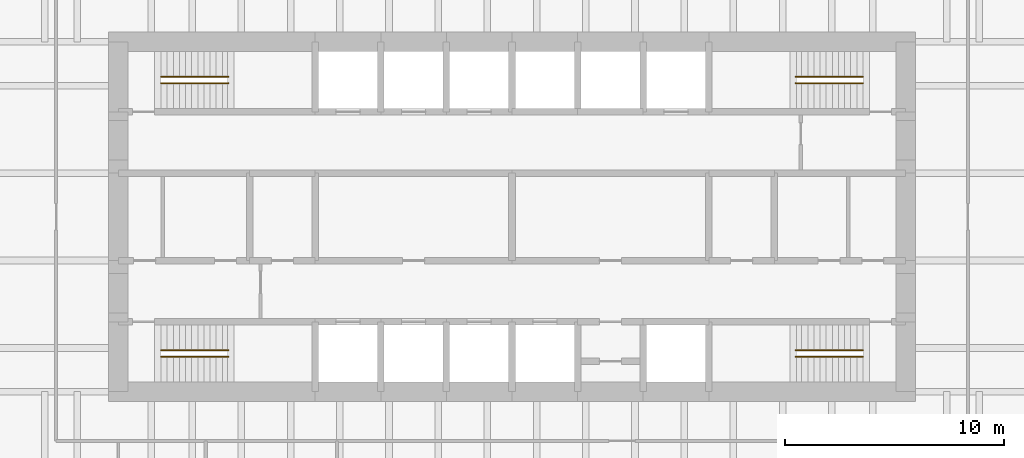
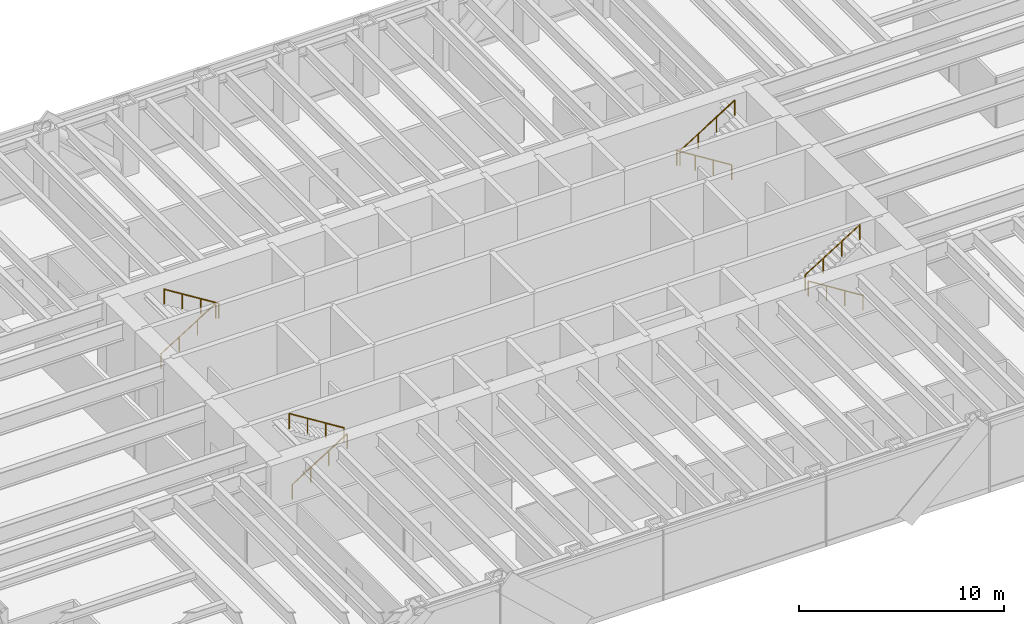
# One storey, part 15 of 15: 8 railings.
"""IFC4 building model written with IfcOpenShell, lengths in metres."""

from ifc_helpers import new_model, si_unit, direction, frame, origin, origin_2d, place, context, subcontext, project, spatial, circle, extrude, material, type_object, element, save


model = new_model("IFC4")

# Units and contexts
model_context = context("Model", 3, precision=1e-05, world=origin(), true_north=direction((0.0, 1.0)))
body_context = subcontext(model_context, "Body", "Model", "MODEL_VIEW")
ifc_project = project(units=[si_unit("LENGTHUNIT", "METRE"), si_unit("AREAUNIT", "SQUARE_METRE"), si_unit("VOLUMEUNIT", "CUBIC_METRE"), si_unit("PLANEANGLEUNIT", "RADIAN"), si_unit("MASSUNIT", "GRAM", prefix="KILO")], contexts=[model_context])

# Site, building, storey
site_placement = place(None, origin())
site = spatial("IfcSite", under=ifc_project, at=site_placement, CompositionType="ELEMENT")
building_placement = place(site_placement, origin())
building = spatial("IfcBuilding", under=site, at=building_placement, Name="Rheinbord Bourse Tower", CompositionType="ELEMENT")
storey_placement = place(building_placement, frame((0.0, 0.0, 134.10009765625)))
storey = spatial("IfcBuildingStorey", under=building, at=storey_placement, Name="L29", CompositionType="ELEMENT", Elevation=134.10009765625)

# Railings
ifc_material = material(Name="Steel handrail", Category="steel")
railing_type = type_object("IfcRailingType", Name="HANDRAIL 900", PredefinedType="HANDRAIL", material=ifc_material)
railing_1_placement = place(storey_placement, frame((19.949951171875, 17.60009765625, 0.1748046875)))
element("IfcRailing", 1, at=railing_1_placement, inside=storey, type_object=railing_type, Name="Handrail", PredefinedType="HANDRAIL", context=body_context, shape_type="SweptSolid", body=[
    extrude(circle(Radius=0.02392578125, at=origin_2d()), frame((0.0, 0.0, 0.8759765625), z_axis=(0.847998304005, 0.0, 0.529998940003), x_axis=(0.0, 1.0, 0.0)), (0.0, 0.0, 1.0), 3.632080078125),
    extrude(circle(Radius=0.02099609375, at=origin_2d()), origin(), (0.0, 0.0, 1.0), 0.851806640625),
    extrude(circle(Radius=0.02099609375, at=origin_2d()), frame((1.026611328125, 0.0, 0.6416015625)), (0.0, 0.0, 1.0), 0.851806640625),
    extrude(circle(Radius=0.02099609375, at=origin_2d()), frame((2.053466796875, 0.0, 1.283447265625)), (0.0, 0.0, 1.0), 0.851806640625),
    extrude(circle(Radius=0.02099609375, at=origin_2d()), frame((3.080078125, 0.0, 1.925048828125)), (0.0, 0.0, 1.0), 0.851806640625),
])
railing_2_placement = place(storey_placement, frame((23.030029296875, 17.89990234375, 2.27490234375)))
element("IfcRailing", 2, at=railing_2_placement, inside=storey, type_object=railing_type, Name="Handrail", PredefinedType="HANDRAIL", context=body_context, shape_type="SweptSolid", body=[
    extrude(circle(Radius=0.02392578125, at=origin_2d()), frame((0.0, 0.0, 0.8759765625), z_axis=(-0.847998304005, 0.0, 0.529998940003), x_axis=(0.0, -1.0, 0.0)), (0.0, 0.0, 1.0), 3.632080078125),
    extrude(circle(Radius=0.02099609375, at=origin_2d()), origin(), (0.0, 0.0, 1.0), 0.851806640625),
    extrude(circle(Radius=0.02099609375, at=origin_2d()), frame((-1.026611328125, 0.0, 0.6416015625)), (0.0, 0.0, 1.0), 0.851806640625),
    extrude(circle(Radius=0.02099609375, at=origin_2d()), frame((-2.053466796875, 0.0, 1.283447265625)), (0.0, 0.0, 1.0), 0.851806640625),
    extrude(circle(Radius=0.02099609375, at=origin_2d()), frame((-3.080078125, 0.0, 1.925048828125)), (0.0, 0.0, 1.0), 0.851806640625),
])
railing_3_placement = place(storey_placement, frame((19.949951171875, 30.39990234375, 0.1748046875)))
element("IfcRailing", 3, at=railing_3_placement, inside=storey, type_object=railing_type, Name="Handrail", PredefinedType="HANDRAIL", context=body_context, shape_type="SweptSolid", body=[
    extrude(circle(Radius=0.02392578125, at=origin_2d()), frame((0.0, 0.0, 0.8759765625), z_axis=(0.847998304005, 0.0, 0.529998940003), x_axis=(0.0, 1.0, 0.0)), (0.0, 0.0, 1.0), 3.632080078125),
    extrude(circle(Radius=0.02099609375, at=origin_2d()), origin(), (0.0, 0.0, 1.0), 0.851806640625),
    extrude(circle(Radius=0.02099609375, at=origin_2d()), frame((1.026611328125, 0.0, 0.6416015625)), (0.0, 0.0, 1.0), 0.851806640625),
    extrude(circle(Radius=0.02099609375, at=origin_2d()), frame((2.053466796875, 0.0, 1.283447265625)), (0.0, 0.0, 1.0), 0.851806640625),
    extrude(circle(Radius=0.02099609375, at=origin_2d()), frame((3.080078125, 0.0, 1.925048828125)), (0.0, 0.0, 1.0), 0.851806640625),
])
for number, where, name in (
    (4, (23.030029296875, 30.10009765625, 2.27490234375), "Handrail"),
    (5, (52.050048828125, 17.60009765625, 0.1748046875), "Handrail"),
):
    element("IfcRailing", number, at=place(storey_placement, frame(where)), inside=storey, type_object=railing_type, Name=name, PredefinedType="HANDRAIL", context=body_context, shape_type="SweptSolid", body=[
        extrude(circle(Radius=0.02392578125, at=origin_2d()), frame((0.0, 0.0, 0.8759765625), z_axis=(-0.847998304005, 0.0, 0.529998940003), x_axis=(0.0, -1.0, 0.0)), (0.0, 0.0, 1.0), 3.632080078125),
        extrude(circle(Radius=0.02099609375, at=origin_2d()), origin(), (0.0, 0.0, 1.0), 0.851806640625),
        extrude(circle(Radius=0.02099609375, at=origin_2d()), frame((-1.026611328125, 0.0, 0.6416015625)), (0.0, 0.0, 1.0), 0.851806640625),
        extrude(circle(Radius=0.02099609375, at=origin_2d()), frame((-2.053466796875, 0.0, 1.283447265625)), (0.0, 0.0, 1.0), 0.851806640625),
        extrude(circle(Radius=0.02099609375, at=origin_2d()), frame((-3.080078125, 0.0, 1.925048828125)), (0.0, 0.0, 1.0), 0.851806640625),
    ])
railing_4_placement = place(storey_placement, frame((48.969970703125, 17.89990234375, 2.27490234375)))
element("IfcRailing", 6, at=railing_4_placement, inside=storey, type_object=railing_type, Name="Handrail", PredefinedType="HANDRAIL", context=body_context, shape_type="SweptSolid", body=[
    extrude(circle(Radius=0.02392578125, at=origin_2d()), frame((0.0, 0.0, 0.8759765625), z_axis=(0.847998304005, 0.0, 0.529998940003), x_axis=(0.0, 1.0, 0.0)), (0.0, 0.0, 1.0), 3.632080078125),
    extrude(circle(Radius=0.02099609375, at=origin_2d()), origin(), (0.0, 0.0, 1.0), 0.851806640625),
    extrude(circle(Radius=0.02099609375, at=origin_2d()), frame((1.026611328125, 0.0, 0.6416015625)), (0.0, 0.0, 1.0), 0.851806640625),
    extrude(circle(Radius=0.02099609375, at=origin_2d()), frame((2.053466796875, 0.0, 1.283447265625)), (0.0, 0.0, 1.0), 0.851806640625),
    extrude(circle(Radius=0.02099609375, at=origin_2d()), frame((3.080078125, 0.0, 1.925048828125)), (0.0, 0.0, 1.0), 0.851806640625),
])
railing_5_placement = place(storey_placement, frame((52.050048828125, 30.39990234375, 0.1748046875)))
element("IfcRailing", 7, at=railing_5_placement, inside=storey, type_object=railing_type, Name="Handrail", PredefinedType="HANDRAIL", context=body_context, shape_type="SweptSolid", body=[
    extrude(circle(Radius=0.02392578125, at=origin_2d()), frame((0.0, 0.0, 0.8759765625), z_axis=(-0.847998304005, 0.0, 0.529998940003), x_axis=(0.0, -1.0, 0.0)), (0.0, 0.0, 1.0), 3.632080078125),
    extrude(circle(Radius=0.02099609375, at=origin_2d()), origin(), (0.0, 0.0, 1.0), 0.851806640625),
    extrude(circle(Radius=0.02099609375, at=origin_2d()), frame((-1.026611328125, 0.0, 0.6416015625)), (0.0, 0.0, 1.0), 0.851806640625),
    extrude(circle(Radius=0.02099609375, at=origin_2d()), frame((-2.053466796875, 0.0, 1.283447265625)), (0.0, 0.0, 1.0), 0.851806640625),
    extrude(circle(Radius=0.02099609375, at=origin_2d()), frame((-3.080078125, 0.0, 1.925048828125)), (0.0, 0.0, 1.0), 0.851806640625),
])
railing_6_placement = place(storey_placement, frame((48.969970703125, 30.10009765625, 2.27490234375)))
element("IfcRailing", 8, at=railing_6_placement, inside=storey, type_object=railing_type, Name="Handrail", PredefinedType="HANDRAIL", context=body_context, shape_type="SweptSolid", body=[
    extrude(circle(Radius=0.02392578125, at=origin_2d()), frame((0.0, 0.0, 0.8759765625), z_axis=(0.847998304005, 0.0, 0.529998940003), x_axis=(0.0, 1.0, 0.0)), (0.0, 0.0, 1.0), 3.632080078125),
    extrude(circle(Radius=0.02099609375, at=origin_2d()), origin(), (0.0, 0.0, 1.0), 0.851806640625),
    extrude(circle(Radius=0.02099609375, at=origin_2d()), frame((1.026611328125, 0.0, 0.6416015625)), (0.0, 0.0, 1.0), 0.851806640625),
    extrude(circle(Radius=0.02099609375, at=origin_2d()), frame((2.053466796875, 0.0, 1.283447265625)), (0.0, 0.0, 1.0), 0.851806640625),
    extrude(circle(Radius=0.02099609375, at=origin_2d()), frame((3.080078125, 0.0, 1.925048828125)), (0.0, 0.0, 1.0), 0.851806640625),
])

save(model, "model.ifc")
